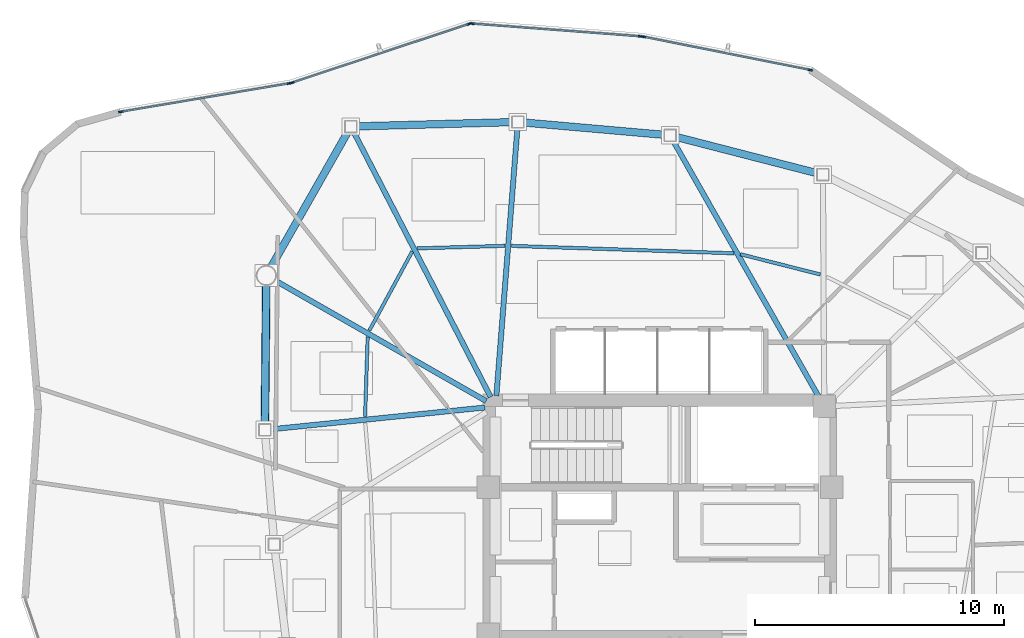
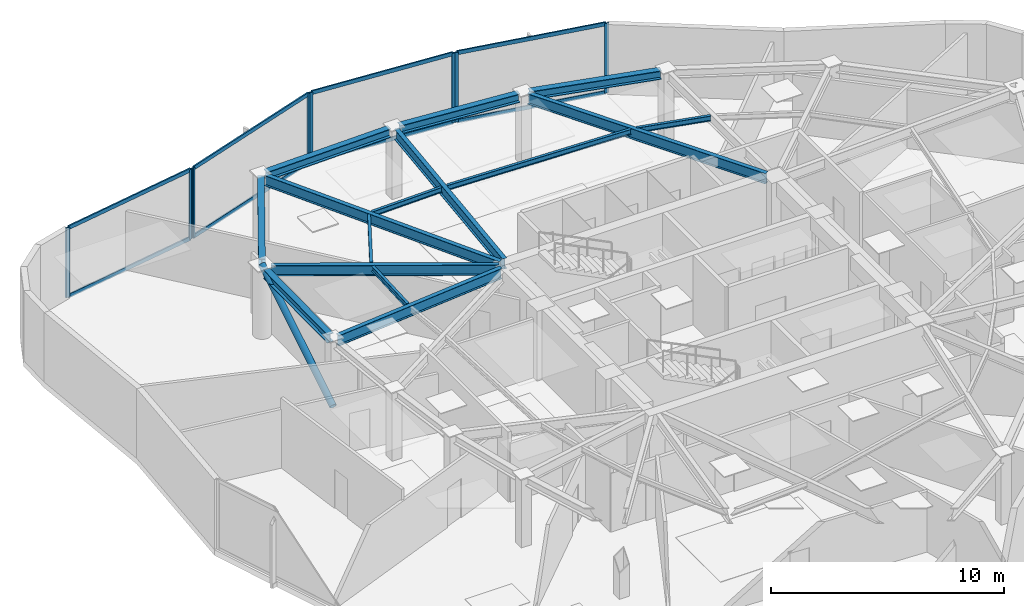
# One storey, part 5 of 13: 17 members, 15 beams, 4 elements without a shape of their own.
"""IFC4 building model written with IfcOpenShell, lengths in metres."""

import ifcopenshell
import ifcopenshell.guid

model = None  # the IFC model being written
_history = None  # IfcOwnerHistory: only IFC2X3 demands one
_inside = {}  # id of a spatial element -> (the spatial element, [elements in it])
_under = {}  # id of a project, library or spatial element -> (it, [spatial elements below it])
_declared = {}  # id of a project -> (the project, [libraries it declares])
_typed = {}  # id of a type object -> (the type object, [elements of that type])
_made_of = {}  # id of a material, layer set ... -> (it, [elements and type objects made of it])


def new_model(schema):
    """Start an empty IFC model of exactly this schema.

    Asked for "IFC4X3", IfcOpenShell would pick the latest addendum, in which some entities
    have other attributes; the version numbers below select the first issue.
    IFC2X3 requires an IfcOwnerHistory on every rooted entity: one is made here for all.
    """
    global model, _history
    if schema == "IFC4X3":
        model = ifcopenshell.file(schema_version=(4, 3, 0, 0))
    else:
        model = ifcopenshell.file(schema=schema)
    _inside.clear()
    _under.clear()
    _declared.clear()
    _typed.clear()
    _made_of.clear()
    _history = None
    if model.schema == "IFC2X3":
        org = make("IfcOrganization", Name="unknown")
        user = make(
            "IfcPersonAndOrganization",
            ThePerson=make("IfcPerson", FamilyName="unknown"),
            TheOrganization=org,
        )
        app = make(
            "IfcApplication",
            ApplicationDeveloper=org,
            Version="unknown",
            ApplicationFullName="unknown",
            ApplicationIdentifier="unknown",
        )
        _history = make(
            "IfcOwnerHistory",
            OwningUser=user,
            OwningApplication=app,
            ChangeAction="ADDED",
            CreationDate=0,
        )
    return model


def make(cls, **values):
    """One entity of the class cls with the attributes given. An attribute that is None is left unset."""
    return model.create_entity(
        cls, **{name: value for name, value in values.items() if value is not None}
    )


def rooted(cls, **values):
    """An entity with a GlobalId (a new one), such as an element, a storey or a relation."""
    return make(cls, GlobalId=ifcopenshell.guid.new(), OwnerHistory=_history, **values)


def si_unit(unit_type, name, prefix=None):
    """IfcSIUnit, for example si_unit("LENGTHUNIT", "METRE", prefix="MILLI")."""
    return make("IfcSIUnit", UnitType=unit_type, Prefix=prefix, Name=name)


def assignment(units):
    """IfcUnitAssignment: the units of a project."""
    return None if units is None else make("IfcUnitAssignment", Units=units)


def point(xyz):
    """IfcCartesianPoint."""
    return None if xyz is None else make("IfcCartesianPoint", Coordinates=xyz)


def direction(xyz):
    """IfcDirection."""
    return None if xyz is None else make("IfcDirection", DirectionRatios=xyz)


def frame(location, z_axis=None, x_axis=None):
    """IfcAxis2Placement3D, a coordinate frame: its origin and axes. An axis left out is left unset."""
    return make(
        "IfcAxis2Placement3D",
        Location=point(location),
        Axis=direction(z_axis),
        RefDirection=direction(x_axis),
    )


def frame_2d(location, x_axis=None):
    """IfcAxis2Placement2D, a coordinate frame in the plane: its origin and x axis."""
    return make(
        "IfcAxis2Placement2D", Location=point(location), RefDirection=direction(x_axis)
    )


def origin():
    """The frame at (0, 0, 0) with its axes left unset."""
    return frame((0.0, 0.0, 0.0))


def origin_2d():
    """The frame at (0, 0) in the plane with its x axis left unset."""
    return frame_2d((0.0, 0.0))


def place(relative_to, where):
    """IfcLocalPlacement: puts the frame where relative to a parent placement (None: the world)."""
    return make(
        "IfcLocalPlacement", PlacementRelTo=relative_to, RelativePlacement=where
    )


def context(
    kind, dimensions, precision=None, world=None, true_north=None, identifier=None
):
    """IfcGeometricRepresentationContext, for example the 3D "Model" context."""
    return make(
        "IfcGeometricRepresentationContext",
        ContextIdentifier=identifier,
        ContextType=kind,
        CoordinateSpaceDimension=dimensions,
        Precision=precision,
        WorldCoordinateSystem=world,
        TrueNorth=true_north,
    )


def subcontext(parent, identifier, kind, view, scale=None):
    """IfcGeometricRepresentationSubContext, for example "Body" below "Model"."""
    return make(
        "IfcGeometricRepresentationSubContext",
        ContextIdentifier=identifier,
        ContextType=kind,
        ParentContext=parent,
        TargetScale=scale,
        TargetView=view,
    )


def project(units=None, contexts=None):
    """IfcProject with its units and contexts."""
    return rooted(
        "IfcProject",
        Name="project",
        RepresentationContexts=contexts,
        UnitsInContext=assignment(units),
    )


def spatial(cls, under=None, at=None, **own):
    """A site, building, storey or space (cls), placed at a placement, below another one or the project."""
    s = rooted(cls, ObjectPlacement=at, **own)
    if under is not None:
        _under.setdefault(under.id(), (under, []))[1].append(s)
    return s


def profile(cls, at=None, kind="AREA", **sizes):
    """A parametric profile (cls). Its sizes go by their IFC names, for example OverallWidth=200.0."""
    return make(cls, ProfileType=kind, Position=at, **sizes)


def hollow_rectangle(**sizes):
    """IfcRectangleHollowProfileDef."""
    return profile("IfcRectangleHollowProfileDef", **sizes)


def hollow_circle(**sizes):
    """IfcCircleHollowProfileDef."""
    return profile("IfcCircleHollowProfileDef", **sizes)


def i_section(**sizes):
    """IfcIShapeProfileDef."""
    return profile("IfcIShapeProfileDef", **sizes)


def extrude(swept, where, along, depth):
    """IfcExtrudedAreaSolid: the profile swept, set in the frame where, extruded along a direction by depth."""
    return make(
        "IfcExtrudedAreaSolid",
        SweptArea=swept,
        Position=where,
        ExtrudedDirection=direction(along),
        Depth=depth,
    )


def shape(context_of_items, identifier, shape_type, items):
    """IfcShapeRepresentation: the items that make up one representation, for example the "Body"."""
    return make(
        "IfcShapeRepresentation",
        ContextOfItems=context_of_items,
        RepresentationIdentifier=identifier,
        RepresentationType=shape_type,
        Items=items,
    )


def source(mapping_origin, context_of_items, identifier, shape_type, items):
    """IfcRepresentationMap: a shape defined once, which mapped items show again and again."""
    return make(
        "IfcRepresentationMap",
        MappingOrigin=mapping_origin,
        MappedRepresentation=shape(context_of_items, identifier, shape_type, items),
    )


def transform(
    local_origin,
    x_axis=None,
    y_axis=None,
    z_axis=None,
    scale=None,
    scale2=None,
    scale3=None,
    uniform=True,
):
    """IfcCartesianTransformationOperator3D, or its non-uniform kind. x_axis, y_axis, z_axis: its Axis1, 2, 3."""
    if uniform:
        return make(
            "IfcCartesianTransformationOperator3D",
            Axis1=direction(x_axis),
            Axis2=direction(y_axis),
            LocalOrigin=point(local_origin),
            Scale=scale,
            Axis3=direction(z_axis),
        )
    return make(
        "IfcCartesianTransformationOperator3DnonUniform",
        Axis1=direction(x_axis),
        Axis2=direction(y_axis),
        LocalOrigin=point(local_origin),
        Scale=scale,
        Axis3=direction(z_axis),
        Scale2=scale2,
        Scale3=scale3,
    )


def mapped(mapping_source, mapping_target):
    """IfcMappedItem: shows the shape of a source again, moved by a transform."""
    return make(
        "IfcMappedItem", MappingSource=mapping_source, MappingTarget=mapping_target
    )


def material(Name=None, Category=None):
    """IfcMaterial."""
    return make("IfcMaterial", Name=Name, Category=Category)


def layer(
    of_material, thickness, ventilated=None, Name=None, Category=None, Priority=None
):
    """IfcMaterialLayer: one layer of a wall or slab, of a material (None: an air gap)."""
    return make(
        "IfcMaterialLayer",
        Material=of_material,
        LayerThickness=thickness,
        IsVentilated=ventilated,
        Name=Name,
        Category=Category,
        Priority=Priority,
    )


def layer_set(layers, Name=None):
    """IfcMaterialLayerSet."""
    return make("IfcMaterialLayerSet", MaterialLayers=layers, LayerSetName=Name)


def material_profile(
    of_material, cross_section, Name=None, Category=None, Priority=None
):
    """IfcMaterialProfile: a cross section and its material."""
    return make(
        "IfcMaterialProfile",
        Name=Name,
        Material=of_material,
        Profile=cross_section,
        Priority=Priority,
        Category=Category,
    )


def profile_set(profiles, Name=None, composite=None):
    """IfcMaterialProfileSet."""
    return make(
        "IfcMaterialProfileSet",
        Name=Name,
        MaterialProfiles=profiles,
        CompositeProfile=composite,
    )


def made_of(thing, what):
    """Note that an element or type object is made of a material, layer set ...; save() writes the relation."""
    if what is not None:
        _made_of.setdefault(what.id(), (what, []))[1].append(thing)
    return thing


def type_object(cls, material=None, **own):
    """A type object (cls), such as IfcWallType, which elements share."""
    return made_of(rooted(cls, **own), material)


def type_shapes(of_type, sources):
    """Give a type object the sources (RepresentationMaps) that its elements show as mapped items."""
    of_type.RepresentationMaps = sources


def element(
    cls,
    number,
    at=None,
    inside=None,
    cuts=None,
    type_object=None,
    material=None,
    context=None,
    identifier="Body",
    shape_type=None,
    held_by="IfcProductDefinitionShape",
    body=None,
    shapes=None,
    **own,
):
    """One element of the class cls, such as IfcWall. Its Tag is "e" and its number.

    at: its placement. inside: the storey or other place that contains it. cuts: it is an
    opening in that element (IfcRelVoidsElement). A single representation is given by context,
    identifier, shape_type and body (its items); several are given by shapes. held_by: the class
    of the entity that holds the representations. save() writes the other relations.
    """
    e = rooted(cls, Tag="e%d" % number, ObjectPlacement=at, **own)
    if body is not None:
        shapes = [shape(context, identifier, shape_type, body)]
    if shapes is not None:
        e.Representation = make(held_by, Representations=shapes)
    if inside is not None:
        _inside.setdefault(inside.id(), (inside, []))[1].append(e)
    if cuts is not None:
        rooted(
            "IfcRelVoidsElement", RelatingBuildingElement=cuts, RelatedOpeningElement=e
        )
    if type_object is not None:
        _typed.setdefault(type_object.id(), (type_object, []))[1].append(e)
    return made_of(e, material)


def aggregate(whole, parts):
    """IfcRelAggregates: a whole, such as a stair, and the parts it consists of."""
    return rooted("IfcRelAggregates", RelatingObject=whole, RelatedObjects=parts)


def save(model, path):
    """Write the relations noted so far, then the file.

    IfcRelAggregates (storeys below a building ...), IfcRelContainedInSpatialStructure (elements
    in a storey), IfcRelDefinesByType, IfcRelAssociatesMaterial and IfcRelDeclares: one each for
    every whole, place, type object, material and project.
    """
    for whole, parts in _under.values():
        aggregate(whole, parts)
    for where, things in _inside.values():
        rooted(
            "IfcRelContainedInSpatialStructure",
            RelatedElements=things,
            RelatingStructure=where,
        )
    for kind, things in _typed.values():
        rooted("IfcRelDefinesByType", RelatedObjects=things, RelatingType=kind)
    for what, things in _made_of.values():
        rooted("IfcRelAssociatesMaterial", RelatedObjects=things, RelatingMaterial=what)
    for by, libraries in _declared.values():
        rooted("IfcRelDeclares", RelatingContext=by, RelatedDefinitions=libraries)
    model.write(path)


model = new_model("IFC4")

# Units and contexts
model_context = context("Model", 3, precision=1e-05, world=origin(), true_north=direction((0.0, 1.0)))
body_context = subcontext(model_context, "Body", "Model", "MODEL_VIEW")
ifc_project = project(units=[si_unit("LENGTHUNIT", "METRE"), si_unit("AREAUNIT", "SQUARE_METRE"), si_unit("VOLUMEUNIT", "CUBIC_METRE"), si_unit("PLANEANGLEUNIT", "RADIAN"), si_unit("MASSUNIT", "GRAM", prefix="KILO")], contexts=[model_context])

# Site, building, storey
site_placement = place(None, origin())
site = spatial("IfcSite", under=ifc_project, at=site_placement, CompositionType="ELEMENT")
building_placement = place(site_placement, origin())
building = spatial("IfcBuilding", under=site, at=building_placement, Name="Tavelor Broadcast Tower", CompositionType="ELEMENT")
storey_placement = place(building_placement, frame((0.0, 0.0, 261.64990234375)))
storey = spatial("IfcBuildingStorey", under=building, at=storey_placement, Name="L62", CompositionType="ELEMENT", Elevation=261.64990234375)

# Beams
ifc_material_1 = material(Name="Steel S355", Category="steel")
ifc_material_profile_1 = material_profile(ifc_material_1, i_section(OverallWidth=0.135009765625, OverallDepth=0.27001953125, WebThickness=0.006591796875, FlangeThickness=0.01025390625, at=origin_2d()), Name="IPE 270")
ifc_profile_set_1 = profile_set([ifc_material_profile_1], Name="Steel S355")
beam_type_1 = type_object("IfcBeamType", Name="Composite Floor Joist T6 IPE 270", PredefinedType="JOIST", material=ifc_profile_set_1)
beam_1_placement = place(storey_placement, frame((38.266357421875, 53.997314453125, 3.51513671875), z_axis=(-0.03266180387, -0.999466460952, 0.0), x_axis=(0.999466460952, -0.03266180387, 0.0)))
element("IfcBeam", 1, at=beam_1_placement, inside=storey, type_object=beam_type_1, Name="L62 Secondary Composite Floor Joist 01", PredefinedType="JOIST", context=body_context, shape_type="SweptSolid", body=[
    extrude(i_section(OverallWidth=0.135009765625, OverallDepth=0.27001953125, WebThickness=0.006591796875, FlangeThickness=0.01025390625, at=origin_2d()), origin(), (0.0, 0.0, 1.0), 3.19921875),
])
beam_2_placement = place(storey_placement, frame((56.439208984375, 56.498779296875, 3.51513671875), z_axis=(-0.969346722977, 0.245696826706, 0.0), x_axis=(-0.245696826706, -0.969346722977, 0.0)))
element("IfcBeam", 2, at=beam_2_placement, inside=storey, type_object=beam_type_1, Name="L62 Secondary Composite Floor Joist 15", PredefinedType="JOIST", context=body_context, shape_type="SweptSolid", body=[
    extrude(i_section(OverallWidth=0.135009765625, OverallDepth=0.27001953125, WebThickness=0.006591796875, FlangeThickness=0.01025390625, at=origin_2d()), origin(), (0.0, 0.0, 1.0), 3.305908203125),
])
beam_3_placement = place(storey_placement, frame((52.970458984375, 57.348388671875, 3.51513671875), z_axis=(-0.999441322178, 0.033422201056, 0.0), x_axis=(-0.033422201056, -0.999441322178, 0.0)))
element("IfcBeam", 3, at=beam_3_placement, inside=storey, type_object=beam_type_1, Name="L62 Secondary Composite Floor Joist 16", PredefinedType="JOIST", context=body_context, shape_type="SweptSolid", body=[
    extrude(i_section(OverallWidth=0.135009765625, OverallDepth=0.27001953125, WebThickness=0.006591796875, FlangeThickness=0.01025390625, at=origin_2d()), origin(), (0.0, 0.0, 1.0), 8.93359375),
])
beam_4_placement = place(storey_placement, frame((43.773681640625, 57.647705078125, 3.51513671875), z_axis=(-0.999591520458, -0.028579577129, 0.0), x_axis=(0.028579577129, -0.999591520458, 0.0)))
element("IfcBeam", 4, at=beam_4_placement, inside=storey, type_object=beam_type_1, Name="L62 Secondary Composite Floor Joist 17", PredefinedType="JOIST", context=body_context, shape_type="SweptSolid", body=[
    extrude(i_section(OverallWidth=0.135009765625, OverallDepth=0.27001953125, WebThickness=0.006591796875, FlangeThickness=0.01025390625, at=origin_2d()), origin(), (0.0, 0.0, 1.0), 3.51953125),
])
beam_5_placement = place(storey_placement, frame((40.057373046875, 57.42529296875, 3.51513671875), z_axis=(-0.476805519493, -0.879008814848, 0.0), x_axis=(0.879008814848, -0.476805519493, 0.0)))
element("IfcBeam", 5, at=beam_5_placement, inside=storey, type_object=beam_type_1, Name="L62 Secondary Composite Floor Joist 18", PredefinedType="JOIST", context=body_context, shape_type="SweptSolid", body=[
    extrude(i_section(OverallWidth=0.135009765625, OverallDepth=0.27001953125, WebThickness=0.006591796875, FlangeThickness=0.01025390625, at=origin_2d()), origin(), (0.0, 0.0, 1.0), 3.61279296875),
])
ifc_material_profile_2 = material_profile(ifc_material_1, i_section(OverallWidth=0.300048828125, OverallDepth=0.449951171875, WebThickness=0.013916015625, FlangeThickness=0.02587890625, at=origin_2d()), Name="HEB 450")
ifc_profile_set_2 = profile_set([ifc_material_profile_2], Name="Steel S355")
beam_type_2 = type_object("IfcBeamType", Name="Perimeter Spandrel Beam T6 HEB 450", PredefinedType="SPANDREL", material=ifc_profile_set_2)
beam_6_placement = place(storey_placement, frame((34.192626953125, 56.069580078125, 3.425048828125), z_axis=(-0.009548403943, -0.999954412952, 0.0), x_axis=(0.999954412952, -0.009548403943, 0.0)))
element("IfcBeam", 6, at=beam_6_placement, inside=storey, type_object=beam_type_2, Name="L62 Framed-Tube Ring Spandrel 01", PredefinedType="SPANDREL", context=body_context, shape_type="SweptSolid", body=[
    extrude(i_section(OverallWidth=0.300048828125, OverallDepth=0.449951171875, WebThickness=0.013916015625, FlangeThickness=0.02587890625, at=origin_2d()), origin(), (0.0, 0.0, 1.0), 5.573974609375),
])
beam_7_placement = place(storey_placement, frame((56.313232421875, 60.56396484375, 3.425048828125), z_axis=(-0.968399822455, 0.249402854572, 0.0), x_axis=(-0.249402854572, -0.968399822455, 0.0)))
element("IfcBeam", 7, at=beam_7_placement, inside=storey, type_object=beam_type_2, Name="L62 Framed-Tube Ring Spandrel 15", PredefinedType="SPANDREL", context=body_context, shape_type="SweptSolid", body=[
    extrude(i_section(OverallWidth=0.300048828125, OverallDepth=0.449951171875, WebThickness=0.013916015625, FlangeThickness=0.02587890625, at=origin_2d()), origin(), (0.0, 0.0, 1.0), 5.858642578125),
])
beam_8_placement = place(storey_placement, frame((50.168212890625, 62.10595703125, 3.425048828125), z_axis=(-0.996167133993, 0.08747023009, 0.0), x_axis=(-0.08747023009, -0.996167133993, 0.0)))
element("IfcBeam", 8, at=beam_8_placement, inside=storey, type_object=beam_type_2, Name="L62 Framed-Tube Ring Spandrel 16", PredefinedType="SPANDREL", context=body_context, shape_type="SweptSolid", body=[
    extrude(i_section(OverallWidth=0.300048828125, OverallDepth=0.449951171875, WebThickness=0.013916015625, FlangeThickness=0.02587890625, at=origin_2d()), origin(), (0.0, 0.0, 1.0), 5.652099609375),
])
beam_9_placement = place(storey_placement, frame((44.058837890625, 62.61474609375, 3.425048828125), z_axis=(-0.99963121329, -0.027155798934, 0.0), x_axis=(0.027155798934, -0.99963121329, 0.0)))
element("IfcBeam", 9, at=beam_9_placement, inside=storey, type_object=beam_type_2, Name="L62 Framed-Tube Ring Spandrel 17", PredefinedType="SPANDREL", context=body_context, shape_type="SweptSolid", body=[
    extrude(i_section(OverallWidth=0.300048828125, OverallDepth=0.449951171875, WebThickness=0.013916015625, FlangeThickness=0.02587890625, at=origin_2d()), origin(), (0.0, 0.0, 1.0), 6.230224609375),
])
beam_10_placement = place(storey_placement, frame((37.472412109375, 62.23046875, 3.425048828125), z_axis=(-0.493720585512, -0.869620597411, 0.0), x_axis=(0.869620597411, -0.493720585512, 0.0)))
element("IfcBeam", 10, at=beam_10_placement, inside=storey, type_object=beam_type_2, Name="L62 Framed-Tube Ring Spandrel 18", PredefinedType="SPANDREL", context=body_context, shape_type="SweptSolid", body=[
    extrude(i_section(OverallWidth=0.300048828125, OverallDepth=0.449951171875, WebThickness=0.013916015625, FlangeThickness=0.02587890625, at=origin_2d()), origin(), (0.0, 0.0, 1.0), 6.245361328125),
])

# Member
ifc_material_profile_3 = material_profile(ifc_material_1, hollow_circle(Radius=0.161865234375, WallThickness=0.01611328125, at=origin_2d()), Name="CHS 323.9x16")
ifc_profile_set_3 = profile_set([ifc_material_profile_3], Name="Steel S355")
member_type_1 = type_object("IfcMemberType", Name="Perimeter Tube Brace T6 CHS 323.9x16", PredefinedType="BRACE", material=ifc_profile_set_3)
member_1_placement = place(storey_placement, frame((34.13720703125, 50.255859375, 0.0), z_axis=(0.008207584485, 0.861864202231, 0.507072709254), x_axis=(-0.999954658748, 0.009522628184, 0.0)))
element("IfcMember", 11, at=member_1_placement, inside=storey, type_object=member_type_1, Name="L62 Corner Tube Diagonal Brace 1", PredefinedType="BRACE", context=body_context, shape_type="SweptSolid", body=[
    extrude(hollow_circle(Radius=0.161865234375, WallThickness=0.01611328125, at=origin_2d()), origin(), (0.0, 0.0, 1.0), 7.198486328125),
])

# Beams
ifc_material_profile_4 = material_profile(ifc_material_1, i_section(OverallWidth=0.2099609375, OverallDepth=0.550048828125, WebThickness=0.010986328125, FlangeThickness=0.01708984375, at=origin_2d()), Name="IPE 550")
ifc_profile_set_4 = profile_set([ifc_material_profile_4], Name="Steel S355")
beam_type_3 = type_object("IfcBeamType", Name="Radial Floor Girder T6 IPE 550", PredefinedType="BEAM", material=ifc_profile_set_4)
beam_11_placement = place(storey_placement, frame((43.02490234375, 51.414306640625, 3.375), z_axis=(-0.868209338365, 0.496198090259, 0.0), x_axis=(-0.496198090259, -0.868209338365, 0.0)))
element("IfcBeam", 12, at=beam_11_placement, inside=storey, type_object=beam_type_3, Name="L62 Radial Primary Floor Girder 01", PredefinedType="BEAM", context=body_context, shape_type="SweptSolid", body=[
    extrude(i_section(OverallWidth=0.2099609375, OverallDepth=0.550048828125, WebThickness=0.010986328125, FlangeThickness=0.01708984375, at=origin_2d()), origin(), (0.0, 0.0, 1.0), 9.778564453125),
])
beam_12_placement = place(storey_placement, frame((42.97021484375, 51.15625, 3.375), z_axis=(-0.994845668858, -0.101400666436, 0.0), x_axis=(0.101400666436, -0.994845668858, 0.0)))
element("IfcBeam", 13, at=beam_12_placement, inside=storey, type_object=beam_type_3, Name="L62 Radial Primary Floor Girder 02", PredefinedType="BEAM", context=body_context, shape_type="SweptSolid", body=[
    extrude(i_section(OverallWidth=0.2099609375, OverallDepth=0.550048828125, WebThickness=0.010986328125, FlangeThickness=0.01708984375, at=origin_2d()), origin(), (0.0, 0.0, 1.0), 8.638671875),
])
beam_13_placement = place(storey_placement, frame((56.386474609375, 51.575439453125, 3.375), z_axis=(-0.49450305234, 0.869175891996, 0.0), x_axis=(-0.869175891996, -0.49450305234, 0.0)))
element("IfcBeam", 14, at=beam_13_placement, inside=storey, type_object=beam_type_3, Name="L62 Radial Primary Floor Girder 16", PredefinedType="BEAM", context=body_context, shape_type="SweptSolid", body=[
    extrude(i_section(OverallWidth=0.2099609375, OverallDepth=0.550048828125, WebThickness=0.010986328125, FlangeThickness=0.01708984375, at=origin_2d()), origin(), (0.0, 0.0, 1.0), 11.8515625),
])
beam_14_placement = place(storey_placement, frame((43.433837890625, 51.630615234375, 3.375), z_axis=(0.078462115784, 0.996917096045, 0.0), x_axis=(-0.996917096045, 0.078462115784, 0.0)))
element("IfcBeam", 15, at=beam_14_placement, inside=storey, type_object=beam_type_3, Name="L62 Radial Primary Floor Girder 17", PredefinedType="BEAM", context=body_context, shape_type="SweptSolid", body=[
    extrude(i_section(OverallWidth=0.2099609375, OverallDepth=0.550048828125, WebThickness=0.010986328125, FlangeThickness=0.01708984375, at=origin_2d()), origin(), (0.0, 0.0, 1.0), 10.78466796875),
])
beam_15_placement = place(storey_placement, frame((43.20166015625, 51.583740234375, 3.375), z_axis=(-0.459156775605, 0.888355252934, 0.0), x_axis=(-0.888355252934, -0.459156775605, 0.0)))
element("IfcBeam", 16, at=beam_15_placement, inside=storey, type_object=beam_type_3, Name="L62 Radial Primary Floor Girder 18", PredefinedType="BEAM", context=body_context, shape_type="SweptSolid", body=[
    extrude(i_section(OverallWidth=0.2099609375, OverallDepth=0.550048828125, WebThickness=0.010986328125, FlangeThickness=0.01708984375, at=origin_2d()), origin(), (0.0, 0.0, 1.0), 11.9794921875),
])

# Curtain wall, members
ifc_material_2 = material(Name="Architectural Anodized Aluminium", Category="aluminium")
ifc_layer = layer(ifc_material_2, 0.199951171875)
ifc_layer_set = layer_set([ifc_layer], Name="Architectural Anodized Aluminium")
curtain_wall_type = type_object("IfcCurtainWallType", Name="Tower High-Zone Triple-Glazed Curtain Wall CW04", PredefinedType="NOTDEFINED", material=ifc_layer_set)
curtain_wall_1_placement = place(storey_placement, origin())
curtain_wall_1 = element("IfcCurtainWall", 17, at=curtain_wall_1_placement, inside=storey, type_object=curtain_wall_type, Name="L62 Curtain Wall CW04 Run 681", PredefinedType="NOTDEFINED")
ifc_material_profile_5 = material_profile(ifc_material_2, hollow_rectangle(XDim=0.070068359375, YDim=0.199951171875, WallThickness=0.02197265625, at=origin_2d()), Name="RHS 70x200x22")
ifc_profile_set_5 = profile_set([ifc_material_profile_5], Name="Architectural Anodized Aluminium")
member_type_2 = type_object("IfcMemberType", Name="CW04 Extruded Aluminium Mullion 70x200", PredefinedType="MULLION", material=ifc_profile_set_5)
shared_shape_1 = source(origin(), body_context, "Body", "SweptSolid", [
    extrude(hollow_rectangle(XDim=0.070068359375, YDim=0.199951171875, WallThickness=0.02197265625, at=origin_2d()), origin(), (0.0, 0.0, 1.0), 3.650146484375),
])
type_shapes(member_type_2, [shared_shape_1])
member_2_placement = place(storey_placement, frame((56.029052734375, 64.709228515625, 0.0), z_axis=(0.0, 0.0, 1.0), x_axis=(-0.195527835743, -0.980698152058, 0.0)))
member_2 = element("IfcMember", 18, at=member_2_placement, type_object=member_type_2, Name="CW04 mullion 1", PredefinedType="MULLION", context=body_context, shape_type="MappedRepresentation", body=[
    mapped(shared_shape_1, transform((0.0, 0.0, 0.0), scale=1.0)),
])
member_3_placement = place(storey_placement, frame((49.3330078125, 66.04443359375, 0.0), z_axis=(0.0, 0.0, 1.0), x_axis=(-0.195527835743, -0.980698152058, 0.0)))
member_3 = element("IfcMember", 19, at=member_3_placement, type_object=member_type_2, Name="CW04 mullion 2", PredefinedType="MULLION", context=body_context, shape_type="MappedRepresentation", body=[
    mapped(shared_shape_1, transform((0.0, 0.0, 0.0), scale=1.0)),
])

curtain_wall_2_placement = place(storey_placement, origin())
curtain_wall_2 = element("IfcCurtainWall", 20, at=curtain_wall_2_placement, inside=storey, type_object=curtain_wall_type, Name="L62 Curtain Wall CW04 Run 682", PredefinedType="NOTDEFINED")
member_4_placement = place(storey_placement, frame((49.234130859375, 66.057861328125, 0.0), z_axis=(0.0, 0.0, 1.0), x_axis=(-0.075390960114, -0.997154051856, 0.0)))
member_4 = element("IfcMember", 21, at=member_4_placement, type_object=member_type_2, Name="CW04 mullion 1", PredefinedType="MULLION", context=body_context, shape_type="MappedRepresentation", body=[
    mapped(shared_shape_1, transform((0.0, 0.0, 0.0), scale=1.0)),
])
member_5_placement = place(storey_placement, frame((42.44091796875, 66.571533203125, 0.0), z_axis=(0.0, 0.0, 1.0), x_axis=(-0.075390960114, -0.997154051856, 0.0)))
member_5 = element("IfcMember", 22, at=member_5_placement, type_object=member_type_2, Name="CW04 mullion 2", PredefinedType="MULLION", context=body_context, shape_type="MappedRepresentation", body=[
    mapped(shared_shape_1, transform((0.0, 0.0, 0.0), scale=1.0)),
])

curtain_wall_3_placement = place(storey_placement, origin())
curtain_wall_3 = element("IfcCurtainWall", 23, at=curtain_wall_3_placement, inside=storey, type_object=curtain_wall_type, Name="L62 Curtain Wall CW04 Run 683", PredefinedType="NOTDEFINED")
member_6_placement = place(storey_placement, frame((42.343505859375, 66.5595703125, 0.0), z_axis=(0.0, 0.0, 1.0), x_axis=(0.315030293368, -0.949081616227, 0.0)))
member_6 = element("IfcMember", 24, at=member_6_placement, type_object=member_type_2, Name="CW04 mullion 1", PredefinedType="MULLION", context=body_context, shape_type="MappedRepresentation", body=[
    mapped(shared_shape_1, transform((0.0, 0.0, 0.0), scale=1.0)),
])
member_7_placement = place(storey_placement, frame((35.227783203125, 64.19775390625, 0.0), z_axis=(0.0, 0.0, 1.0), x_axis=(0.315030293368, -0.949081616227, 0.0)))
member_7 = element("IfcMember", 25, at=member_7_placement, type_object=member_type_2, Name="CW04 mullion 2", PredefinedType="MULLION", context=body_context, shape_type="MappedRepresentation", body=[
    mapped(shared_shape_1, transform((0.0, 0.0, 0.0), scale=1.0)),
])

curtain_wall_4_placement = place(storey_placement, origin())
curtain_wall_4 = element("IfcCurtainWall", 26, at=curtain_wall_4_placement, inside=storey, type_object=curtain_wall_type, Name="L62 Curtain Wall CW04 Run 684", PredefinedType="NOTDEFINED")
member_8_placement = place(storey_placement, frame((35.131103515625, 64.173583984375, 0.0), z_axis=(0.0, 0.0, 1.0), x_axis=(0.166355109135, -0.986065909392, 0.0)))
member_8 = element("IfcMember", 27, at=member_8_placement, type_object=member_type_2, Name="CW04 mullion 1", PredefinedType="MULLION", context=body_context, shape_type="MappedRepresentation", body=[
    mapped(shared_shape_1, transform((0.0, 0.0, 0.0), scale=1.0)),
])
member_9_placement = place(storey_placement, frame((28.359130859375, 63.031005859375, 0.0), z_axis=(0.0, 0.0, 1.0), x_axis=(0.166355109135, -0.986065909392, 0.0)))
member_9 = element("IfcMember", 28, at=member_9_placement, type_object=member_type_2, Name="CW04 mullion 2", PredefinedType="MULLION", context=body_context, shape_type="MappedRepresentation", body=[
    mapped(shared_shape_1, transform((0.0, 0.0, 0.0), scale=1.0)),
])

# Member
ifc_material_profile_6 = material_profile(ifc_material_2, hollow_rectangle(XDim=0.070068359375, YDim=0.199951171875, WallThickness=0.02197265625, at=origin_2d()), Name="RHS 70x200x22")
ifc_profile_set_6 = profile_set([ifc_material_profile_6], Name="Architectural Anodized Aluminium")
member_type_3 = type_object("IfcMemberType", Name="CW04 Extruded Aluminium Transom 70x200", PredefinedType="USERDEFINED", material=ifc_profile_set_6)
shared_shape_2 = source(origin(), body_context, "Body", "SweptSolid", [
    extrude(hollow_rectangle(XDim=0.070068359375, YDim=0.199951171875, WallThickness=0.02197265625, at=origin_2d()), origin(), (0.0, 0.0, 1.0), 6.7578125),
])
member_10_placement = place(storey_placement, frame((55.994873046875, 64.71630859375, 0.03515625), z_axis=(-0.98069999023, 0.195518615897, 0.0), x_axis=(-0.195518615897, -0.98069999023, 0.0)))
member_10 = element("IfcMember", 29, at=member_10_placement, type_object=member_type_3, Name="CW04 transom 1.1", ObjectType="TRANSOM", PredefinedType="USERDEFINED", context=body_context, shape_type="MappedRepresentation", body=[
    mapped(shared_shape_2, transform((0.0, 0.0, 0.0), scale=1.0)),
])

member_11_placement = place(storey_placement, frame((55.994873046875, 64.71630859375, 3.614990234375), z_axis=(-0.98069999023, 0.195518615897, 0.0), x_axis=(-0.195518615897, -0.98069999023, 0.0)))
member_11 = element("IfcMember", 30, at=member_11_placement, type_object=member_type_3, Name="CW04 transom 1.2", ObjectType="TRANSOM", PredefinedType="USERDEFINED", context=body_context, shape_type="MappedRepresentation", body=[
    mapped(shared_shape_2, transform((0.0, 0.0, 0.0), scale=1.0)),
])

aggregate(curtain_wall_1, [member_2, member_3, member_10, member_11])

shared_shape_3 = source(origin(), body_context, "Body", "SweptSolid", [
    extrude(hollow_rectangle(XDim=0.070068359375, YDim=0.199951171875, WallThickness=0.02197265625, at=origin_2d()), origin(), (0.0, 0.0, 1.0), 6.742919921875),
])
member_12_placement = place(storey_placement, frame((49.19921875, 66.060546875, 0.03515625), z_axis=(-0.997154576772, 0.075384017024, 0.0), x_axis=(-0.075384017024, -0.997154576772, 0.0)))
member_12 = element("IfcMember", 31, at=member_12_placement, type_object=member_type_3, Name="CW04 transom 1.1", ObjectType="TRANSOM", PredefinedType="USERDEFINED", context=body_context, shape_type="MappedRepresentation", body=[
    mapped(shared_shape_3, transform((0.0, 0.0, 0.0), scale=1.0)),
])

member_13_placement = place(storey_placement, frame((49.19921875, 66.060546875, 3.614990234375), z_axis=(-0.997154576772, 0.075384017024, 0.0), x_axis=(-0.075384017024, -0.997154576772, 0.0)))
member_13 = element("IfcMember", 32, at=member_13_placement, type_object=member_type_3, Name="CW04 transom 1.2", ObjectType="TRANSOM", PredefinedType="USERDEFINED", context=body_context, shape_type="MappedRepresentation", body=[
    mapped(shared_shape_3, transform((0.0, 0.0, 0.0), scale=1.0)),
])

aggregate(curtain_wall_2, [member_4, member_5, member_12, member_13])

shared_shape_4 = source(origin(), body_context, "Body", "SweptSolid", [
    extrude(hollow_rectangle(XDim=0.070068359375, YDim=0.199951171875, WallThickness=0.02197265625, at=origin_2d()), origin(), (0.0, 0.0, 1.0), 7.427490234375),
])
member_14_placement = place(storey_placement, frame((42.310302734375, 66.548583984375, 0.03515625), z_axis=(-0.949083547217, -0.315024475879, 0.0), x_axis=(0.315024475879, -0.949083547217, 0.0)))
member_14 = element("IfcMember", 33, at=member_14_placement, type_object=member_type_3, Name="CW04 transom 1.1", ObjectType="TRANSOM", PredefinedType="USERDEFINED", context=body_context, shape_type="MappedRepresentation", body=[
    mapped(shared_shape_4, transform((0.0, 0.0, 0.0), scale=1.0)),
])

member_15_placement = place(storey_placement, frame((42.310302734375, 66.548583984375, 3.614990234375), z_axis=(-0.949083547217, -0.315024475879, 0.0), x_axis=(0.315024475879, -0.949083547217, 0.0)))
member_15 = element("IfcMember", 34, at=member_15_placement, type_object=member_type_3, Name="CW04 transom 1.2", ObjectType="TRANSOM", PredefinedType="USERDEFINED", context=body_context, shape_type="MappedRepresentation", body=[
    mapped(shared_shape_4, transform((0.0, 0.0, 0.0), scale=1.0)),
])

aggregate(curtain_wall_3, [member_6, member_7, member_14, member_15])

shared_shape_5 = source(origin(), body_context, "Body", "SweptSolid", [
    extrude(hollow_rectangle(XDim=0.070068359375, YDim=0.199951171875, WallThickness=0.02197265625, at=origin_2d()), origin(), (0.0, 0.0, 1.0), 6.797607421875),
])
type_shapes(member_type_3, [shared_shape_2, shared_shape_3, shared_shape_4, shared_shape_5])
member_16_placement = place(storey_placement, frame((35.096435546875, 64.167724609375, 0.03515625), z_axis=(-0.986064847233, -0.166361404931, 0.0), x_axis=(0.166361404931, -0.986064847233, 0.0)))
member_16 = element("IfcMember", 35, at=member_16_placement, type_object=member_type_3, Name="CW04 transom 1.1", ObjectType="TRANSOM", PredefinedType="USERDEFINED", context=body_context, shape_type="MappedRepresentation", body=[
    mapped(shared_shape_5, transform((0.0, 0.0, 0.0), scale=1.0)),
])

member_17_placement = place(storey_placement, frame((35.096435546875, 64.167724609375, 3.614990234375), z_axis=(-0.986064847233, -0.166361404931, 0.0), x_axis=(0.166361404931, -0.986064847233, 0.0)))
member_17 = element("IfcMember", 36, at=member_17_placement, type_object=member_type_3, Name="CW04 transom 1.2", ObjectType="TRANSOM", PredefinedType="USERDEFINED", context=body_context, shape_type="MappedRepresentation", body=[
    mapped(shared_shape_5, transform((0.0, 0.0, 0.0), scale=1.0)),
])

aggregate(curtain_wall_4, [member_8, member_9, member_16, member_17])

save(model, "model.ifc")
